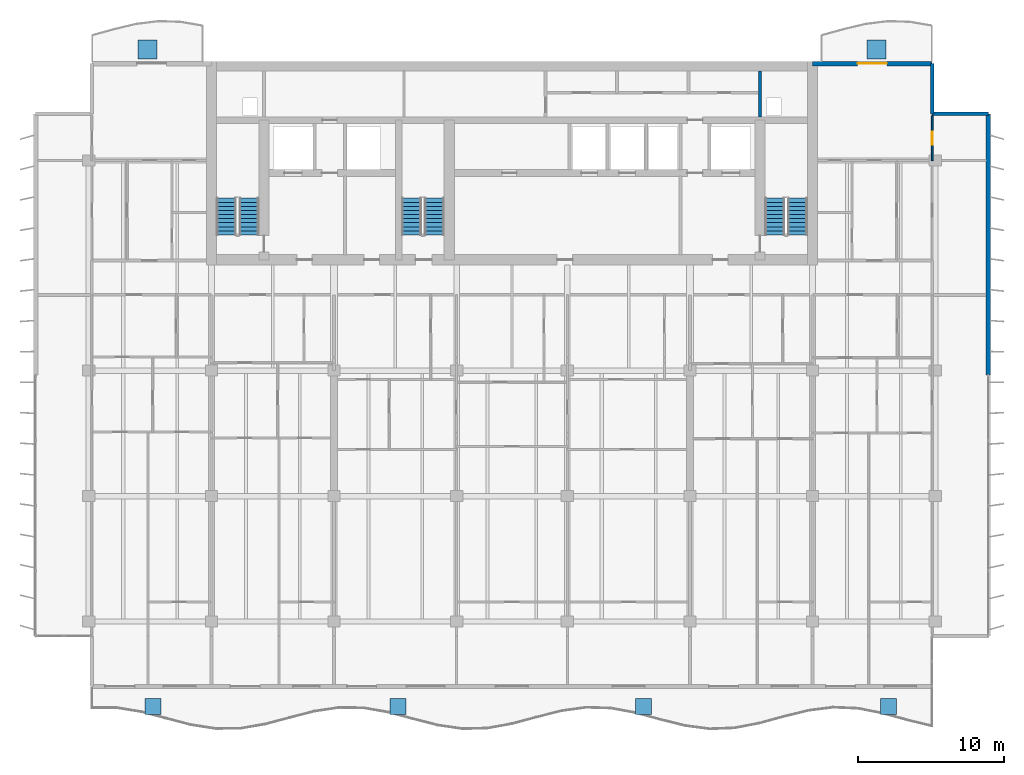
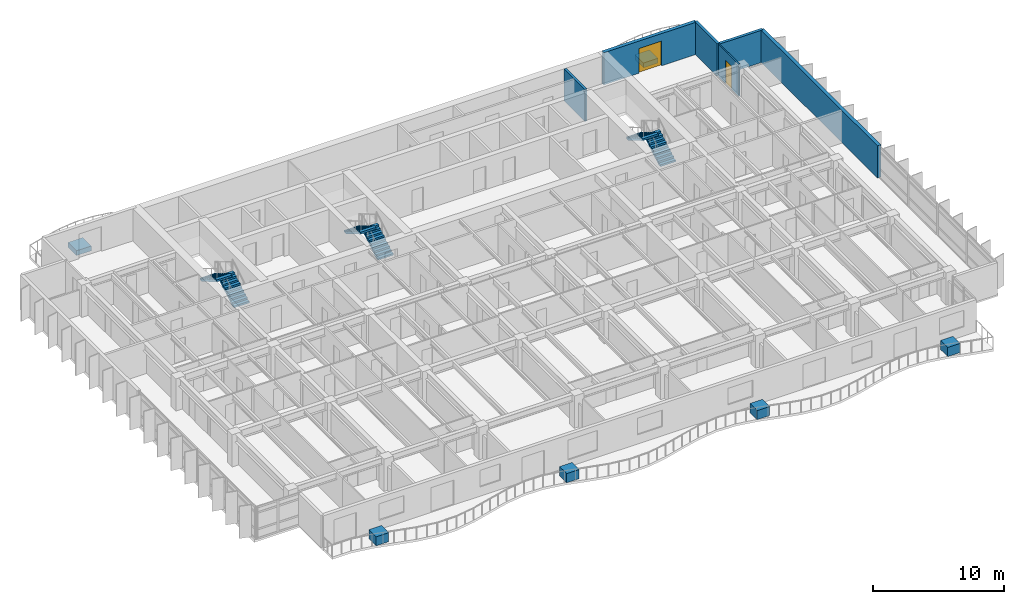
# One storey, part 14 of 18: 6 discrete accessories, 6 stair flights, 6 walls, 2 doors, 2 openings, 3 elements without a shape of their own.
"""IFC4 building model written with IfcOpenShell, lengths in metres."""

from ifc_helpers import new_model, si_unit, direction, frame, frame_2d, origin, origin_2d, place, context, subcontext, project, spatial, polyline, rectangle, outline, extrude, material, layer, layer_set, type_object, element, fill, aggregate, save


model = new_model("IFC4")

# Units and contexts
model_context = context("Model", 3, precision=1e-05, world=origin(), true_north=direction((0.0, 1.0)))
body_context = subcontext(model_context, "Body", "Model", "MODEL_VIEW")
ifc_project = project(units=[si_unit("LENGTHUNIT", "METRE"), si_unit("AREAUNIT", "SQUARE_METRE"), si_unit("VOLUMEUNIT", "CUBIC_METRE"), si_unit("PLANEANGLEUNIT", "RADIAN"), si_unit("MASSUNIT", "GRAM", prefix="KILO")], contexts=[model_context])

# Site, building, storey
site_placement = place(None, origin())
site = spatial("IfcSite", under=ifc_project, at=site_placement, CompositionType="ELEMENT")
building_placement = place(site_placement, origin())
building = spatial("IfcBuilding", under=site, at=building_placement, Name="Caelmar Bay Residences", CompositionType="ELEMENT")
storey_placement = place(building_placement, frame((0.0, 0.0, 180.300048828125)))
storey = spatial("IfcBuildingStorey", under=building, at=storey_placement, Name="L50", CompositionType="ELEMENT", Elevation=180.300048828125)

# Walls
ifc_material_1 = material(Name="Precast concrete f'c 40 MPa (6,000 psi)", Category="concrete")
ifc_layer_1 = layer(ifc_material_1, 0.25)
ifc_layer_set_1 = layer_set([ifc_layer_1], Name="Precast concrete f'c 40 MPa (6,000 psi)")
wall_type_1 = type_object("IfcWallType", Name="W-EXT-250", PredefinedType="ELEMENTEDWALL", material=ifc_layer_set_1)
wall_1_placement = place(storey_placement, frame((67.699951171875, 50.449951171875, 0.0), z_axis=(0.0, 0.0, 1.0), x_axis=(0.0, -1.0, 0.0)))
element("IfcWall", 1, at=wall_1_placement, inside=storey, type_object=wall_type_1, Name="L50 NNE-V Notch Wall", PredefinedType="ELEMENTEDWALL", context=body_context, shape_type="SweptSolid", body=[
    extrude(rectangle(XDim=3.449951171875, YDim=0.25, at=frame_2d((1.72509765625, 0.0))), origin(), (0.0, 0.0, 1.0), 3.0),
])
wall_2_placement = place(storey_placement, frame((67.699951171875, 47.0, 0.0), z_axis=(0.0, 0.0, 1.0), x_axis=(1.0, 0.0, 0.0)))
element("IfcWall", 2, at=wall_2_placement, inside=storey, type_object=wall_type_1, Name="L50 NNE-H Notch Wall", PredefinedType="ELEMENTEDWALL", context=body_context, shape_type="SweptSolid", body=[
    extrude(rectangle(XDim=3.85009765625, YDim=0.25, at=frame_2d((1.925048828125, 0.0))), origin(), (0.0, 0.0, 1.0), 3.0),
])
ifc_layer_2 = layer(ifc_material_1, 0.300048828125)
ifc_layer_set_2 = layer_set([ifc_layer_2], Name="Precast concrete f'c 40 MPa (6,000 psi)")
wall_type_2 = type_object("IfcWallType", Name="W-EXT-300", PredefinedType="STANDARD", material=ifc_layer_set_2)
wall_3_placement = place(storey_placement, frame((71.550048828125, 47.0, 0.0), z_axis=(0.0, 0.0, 1.0), x_axis=(0.0, -1.0, 0.0)))
element("IfcWall", 3, at=wall_3_placement, inside=storey, type_object=wall_type_2, Name="L50 East Rear Exterior Wall", PredefinedType="STANDARD", context=body_context, shape_type="SweptSolid", body=[
    extrude(rectangle(XDim=17.89990234375, YDim=0.300048828125, at=frame_2d((8.949951171875, 0.0))), origin(), (0.0, 0.0, 1.0), 3.0),
])

# Wall, opening, door
wall_4_placement = place(storey_placement, frame((59.5, 50.449951171875, 0.0), z_axis=(0.0, 0.0, 1.0), x_axis=(1.0, 0.0, 0.0)))
wall_4 = element("IfcWall", 4, at=wall_4_placement, inside=storey, type_object=wall_type_2, Name="L50 North-East Wing Exterior Wall", PredefinedType="STANDARD", context=body_context, shape_type="SweptSolid", body=[
    extrude(rectangle(XDim=8.199951171875, YDim=0.300048828125, at=frame_2d((4.10009765625, 0.0))), origin(), (0.0, 0.0, 1.0), 3.0),
])
opening_1_placement = place(wall_4_placement, frame((3.10009765625, 0.0, 0.0)))
opening_1 = element("IfcOpeningElement", 5, at=opening_1_placement, cuts=wall_4, Name="Opening L50-BDNE", PredefinedType="OPENING", context=body_context, shape_type="SweptSolid", body=[
    extrude(rectangle(XDim=2.0, YDim=2.300048828125, at=frame_2d((1.0, 1.14990234375))), frame((0.0, 0.159912109375, 0.0), z_axis=(0.0, -1.0, 0.0), x_axis=(1.0, 0.0, 0.0)), (0.0, 0.0, 1.0), 0.320068359375),
])
ifc_material_2 = material(Name="Anodised bronze thermally broken sliding glass door", Category="glass")
ifc_layer_3 = layer(ifc_material_2, 0.050048828125)
ifc_layer_set_3 = layer_set([ifc_layer_3], Name="Anodised bronze thermally broken sliding glass door")
door_type_1 = type_object("IfcDoorType", Name="D-BAL-2000", OperationType="DOUBLE_DOOR_SLIDING", PredefinedType="DOOR", material=ifc_layer_set_3)
door_1_placement = place(opening_1_placement, origin())
door_1 = element("IfcDoor", 6, at=door_1_placement, inside=storey, type_object=door_type_1, Name="L50 North-East Balcony Door", OperationType="DOUBLE_DOOR_SLIDING", OverallHeight=2.300048828125, OverallWidth=2.0, PredefinedType="DOOR", context=body_context, shape_type="SweptSolid", body=[
    extrude(rectangle(XDim=2.0, YDim=2.300048828125, at=frame_2d((1.0, 1.14990234375))), frame((0.0, 0.02490234375, 0.0), z_axis=(0.0, -1.0, 0.0), x_axis=(1.0, 0.0, 0.0)), (0.0, 0.0, 1.0), 0.050048828125),
])
fill(opening_1, door_1)

# Wall
ifc_material_3 = material(Name="Fire-rated masonry and gypsum shaftliner assembly 200 mm", Category="masonry")
ifc_layer_4 = layer(ifc_material_3, 0.199951171875)
ifc_layer_set_4 = layer_set([ifc_layer_4], Name="Fire-rated masonry and gypsum shaftliner assembly 200 mm")
wall_type_3 = type_object("IfcWallType", Name="W-FSAE-200", PredefinedType="PARTITIONING", material=ifc_layer_set_4)
wall_5_placement = place(storey_placement, frame((55.89990234375, 46.794921875, 0.0), z_axis=(0.0, 0.0, 1.0), x_axis=(0.0, 1.0, 0.0)))
element("IfcWall", 7, at=wall_5_placement, inside=storey, type_object=wall_type_3, Name="L50 Partition Wall V081", PredefinedType="PARTITIONING", context=body_context, shape_type="SweptSolid", body=[
    extrude(rectangle(XDim=3.16015625, YDim=0.199951171875, at=frame_2d((1.580078125, 0.0))), origin(), (0.0, 0.0, 1.0), 3.0),
])

# Wall, opening, door
ifc_material_4 = material(Name="Acoustic metal-stud gypsum partition 120 mm")
ifc_layer_5 = layer(ifc_material_4, 0.1201171875)
ifc_layer_set_5 = layer_set([ifc_layer_5], Name="Acoustic metal-stud gypsum partition 120 mm")
wall_type_4 = type_object("IfcWallType", Name="W-PRT-120", PredefinedType="PARTITIONING", material=ifc_layer_set_5)
wall_6_placement = place(storey_placement, frame((67.699951171875, 43.804931640625, 0.0), z_axis=(0.0, 0.0, 1.0), x_axis=(0.0, 1.0, 0.0)))
wall_6 = element("IfcWall", 8, at=wall_6_placement, inside=storey, type_object=wall_type_4, Name="L50 Partition Wall V105", PredefinedType="PARTITIONING", context=body_context, shape_type="SweptSolid", body=[
    extrude(rectangle(XDim=3.074951171875, YDim=0.1201171875, at=frame_2d((1.53759765625, 0.0))), origin(), (0.0, 0.0, 1.0), 3.0),
])
opening_2_placement = place(wall_6_placement, frame((1.08740234375, 0.0, 0.0)))
opening_2 = element("IfcOpeningElement", 9, at=opening_2_placement, cuts=wall_6, Name="Opening D-L50-179", PredefinedType="OPENING", context=body_context, shape_type="SweptSolid", body=[
    extrude(rectangle(XDim=0.89990234375, YDim=2.14990234375, at=frame_2d((0.449951171875, 1.074951171875))), frame((0.0, 0.070068359375, 0.0), z_axis=(0.0, -1.0, 0.0), x_axis=(1.0, 0.0, 0.0)), (0.0, 0.0, 1.0), 0.14013671875),
])
ifc_material_5 = material(Name="Solid walnut timber interior door leaf and frame", Category="wood")
ifc_layer_6 = layer(ifc_material_5, 0.050048828125)
ifc_layer_set_6 = layer_set([ifc_layer_6], Name="Solid walnut timber interior door leaf and frame")
door_type_2 = type_object("IfcDoorType", Name="D-ROOM-900", OperationType="NOTDEFINED", PredefinedType="DOOR", material=ifc_layer_set_6)
door_2_placement = place(opening_2_placement, origin())
door_2 = element("IfcDoor", 10, at=door_2_placement, inside=storey, type_object=door_type_2, Name="L50 Residence EA North Sitting Alcove Door", OperationType="SINGLE_SWING_RIGHT", OverallHeight=2.14990234375, OverallWidth=0.89990234375, PredefinedType="DOOR", context=body_context, shape_type="SweptSolid", body=[
    extrude(rectangle(XDim=0.89990234375, YDim=2.14990234375, at=frame_2d((0.449951171875, 1.074951171875))), frame((0.0, 0.02490234375, 0.0), z_axis=(0.0, -1.0, 0.0), x_axis=(1.0, 0.0, 0.0)), (0.0, 0.0, 1.0), 0.050048828125),
])
fill(opening_2, door_2)

# Stair, stair flights
ifc_material_6 = material(Name="Concrete f'c 40 MPa (6,000 psi)", Category="concrete")
stair_type = type_object("IfcStairType", Name="ST-TYP-165", PredefinedType="HALF_TURN_STAIR", material=ifc_material_6)
stair_1_placement = place(storey_placement, origin())
stair_1 = element("IfcStair", 11, at=stair_1_placement, inside=storey, type_object=stair_type, Name="L50 West Smokeproof Exit Stair ST1", PredefinedType="HALF_TURN_STAIR")
stair_flight_type = type_object("IfcStairFlightType", Name="STF-1350", PredefinedType="STRAIGHT", material=ifc_material_6)
stair_flight_1_placement = place(storey_placement, frame((20.875, 38.699951171875, 0.0), z_axis=(0.0, 0.0, 1.0), x_axis=(0.0, 1.0, 0.0)))
stair_flight_1 = element("IfcStairFlight", 12, at=stair_flight_1_placement, type_object=stair_flight_type, Name="ST1 flight 1", NumberOfRisers=10, NumberOfTreads=9, PredefinedType="STRAIGHT", RiserHeight=0.165, TreadLength=0.28, context=body_context, shape_type="SweptSolid", body=[
    extrude(outline(polyline([(0.0, 0.0), (0.0, 0.1650390625), (0.280029296875, 0.1650390625), (0.280029296875, 0.330078125), (0.56005859375, 0.330078125), (0.56005859375, 0.4951171875), (0.840087890625, 0.4951171875), (0.840087890625, 0.659912109375), (1.1201171875, 0.659912109375), (1.1201171875, 0.824951171875), (1.39990234375, 0.824951171875), (1.39990234375, 0.989990234375), (1.679931640625, 0.989990234375), (1.679931640625, 1.155029296875), (1.9599609375, 1.155029296875), (1.9599609375, 1.320068359375), (2.239990234375, 1.320068359375), (2.239990234375, 1.485107421875), (2.52001953125, 1.485107421875), (2.52001953125, 1.64990234375), (2.52001953125, 1.31103515625), (0.295166015625, 0.0), (0.0, 0.0)])), frame((0.0, 0.675048828125, 0.0), z_axis=(0.0, -1.0, 0.0), x_axis=(1.0, 0.0, 0.0)), (0.0, 0.0, 1.0), 1.35009765625),
])
stair_flight_2_placement = place(storey_placement, frame((19.324951171875, 41.219970703125, 1.64990234375), z_axis=(0.0, 0.0, 1.0), x_axis=(0.0, -1.0, 0.0)))
stair_flight_2 = element("IfcStairFlight", 13, at=stair_flight_2_placement, type_object=stair_flight_type, Name="ST1 flight 2", NumberOfRisers=10, NumberOfTreads=9, PredefinedType="STRAIGHT", RiserHeight=0.165, TreadLength=0.28, context=body_context, shape_type="SweptSolid", body=[
    extrude(outline(polyline([(0.0, 0.0), (0.0, 0.1650390625), (0.280029296875, 0.1650390625), (0.280029296875, 0.330078125), (0.56005859375, 0.330078125), (0.56005859375, 0.4951171875), (0.840087890625, 0.4951171875), (0.840087890625, 0.659912109375), (1.1201171875, 0.659912109375), (1.1201171875, 0.824951171875), (1.39990234375, 0.824951171875), (1.39990234375, 0.989990234375), (1.679931640625, 0.989990234375), (1.679931640625, 1.155029296875), (1.9599609375, 1.155029296875), (1.9599609375, 1.320068359375), (2.239990234375, 1.320068359375), (2.239990234375, 1.485107421875), (2.52001953125, 1.485107421875), (2.52001953125, 1.64990234375), (2.52001953125, 1.31103515625), (0.295166015625, 0.0), (0.0, 0.0)])), frame((0.0, 0.675048828125, 0.0), z_axis=(0.0, -1.0, 0.0), x_axis=(1.0, 0.0, 0.0)), (0.0, 0.0, 1.0), 1.35009765625),
])
aggregate(stair_1, [stair_flight_1, stair_flight_2])

stair_2_placement = place(storey_placement, origin())
stair_2 = element("IfcStair", 14, at=stair_2_placement, inside=storey, type_object=stair_type, Name="L50 East Smokeproof Exit Stair ST2", PredefinedType="HALF_TURN_STAIR")
stair_flight_3_placement = place(storey_placement, frame((58.47509765625, 38.699951171875, 0.0), z_axis=(0.0, 0.0, 1.0), x_axis=(0.0, 1.0, 0.0)))
stair_flight_3 = element("IfcStairFlight", 15, at=stair_flight_3_placement, type_object=stair_flight_type, Name="ST2 flight 1", NumberOfRisers=10, NumberOfTreads=9, PredefinedType="STRAIGHT", RiserHeight=0.165, TreadLength=0.28, context=body_context, shape_type="SweptSolid", body=[
    extrude(outline(polyline([(0.0, 0.0), (0.0, 0.1650390625), (0.280029296875, 0.1650390625), (0.280029296875, 0.330078125), (0.56005859375, 0.330078125), (0.56005859375, 0.4951171875), (0.840087890625, 0.4951171875), (0.840087890625, 0.659912109375), (1.1201171875, 0.659912109375), (1.1201171875, 0.824951171875), (1.39990234375, 0.824951171875), (1.39990234375, 0.989990234375), (1.679931640625, 0.989990234375), (1.679931640625, 1.155029296875), (1.9599609375, 1.155029296875), (1.9599609375, 1.320068359375), (2.239990234375, 1.320068359375), (2.239990234375, 1.485107421875), (2.52001953125, 1.485107421875), (2.52001953125, 1.64990234375), (2.52001953125, 1.31103515625), (0.295166015625, 0.0), (0.0, 0.0)])), frame((0.0, 0.675048828125, 0.0), z_axis=(0.0, -1.0, 0.0), x_axis=(1.0, 0.0, 0.0)), (0.0, 0.0, 1.0), 1.35009765625),
])
stair_flight_4_placement = place(storey_placement, frame((56.925048828125, 41.219970703125, 1.64990234375), z_axis=(0.0, 0.0, 1.0), x_axis=(0.0, -1.0, 0.0)))
stair_flight_4 = element("IfcStairFlight", 16, at=stair_flight_4_placement, type_object=stair_flight_type, Name="ST2 flight 2", NumberOfRisers=10, NumberOfTreads=9, PredefinedType="STRAIGHT", RiserHeight=0.165, TreadLength=0.28, context=body_context, shape_type="SweptSolid", body=[
    extrude(outline(polyline([(0.0, 0.0), (0.0, 0.1650390625), (0.280029296875, 0.1650390625), (0.280029296875, 0.330078125), (0.56005859375, 0.330078125), (0.56005859375, 0.4951171875), (0.840087890625, 0.4951171875), (0.840087890625, 0.659912109375), (1.1201171875, 0.659912109375), (1.1201171875, 0.824951171875), (1.39990234375, 0.824951171875), (1.39990234375, 0.989990234375), (1.679931640625, 0.989990234375), (1.679931640625, 1.155029296875), (1.9599609375, 1.155029296875), (1.9599609375, 1.320068359375), (2.239990234375, 1.320068359375), (2.239990234375, 1.485107421875), (2.52001953125, 1.485107421875), (2.52001953125, 1.64990234375), (2.52001953125, 1.31103515625), (0.295166015625, 0.0), (0.0, 0.0)])), frame((0.0, 0.675048828125, 0.0), z_axis=(0.0, -1.0, 0.0), x_axis=(1.0, 0.0, 0.0)), (0.0, 0.0, 1.0), 1.35009765625),
])
aggregate(stair_2, [stair_flight_3, stair_flight_4])

stair_3_placement = place(storey_placement, origin())
stair_3 = element("IfcStair", 17, at=stair_3_placement, inside=storey, type_object=stair_type, Name="L50 Central Smokeproof Exit Stair ST3", PredefinedType="HALF_TURN_STAIR")
stair_flight_5_placement = place(storey_placement, frame((33.574951171875, 38.699951171875, 0.0), z_axis=(0.0, 0.0, 1.0), x_axis=(0.0, 1.0, 0.0)))
stair_flight_5 = element("IfcStairFlight", 18, at=stair_flight_5_placement, type_object=stair_flight_type, Name="ST3 flight 1", NumberOfRisers=10, NumberOfTreads=9, PredefinedType="STRAIGHT", RiserHeight=0.165, TreadLength=0.28, context=body_context, shape_type="SweptSolid", body=[
    extrude(outline(polyline([(0.0, 0.0), (0.0, 0.1650390625), (0.280029296875, 0.1650390625), (0.280029296875, 0.330078125), (0.56005859375, 0.330078125), (0.56005859375, 0.4951171875), (0.840087890625, 0.4951171875), (0.840087890625, 0.659912109375), (1.1201171875, 0.659912109375), (1.1201171875, 0.824951171875), (1.39990234375, 0.824951171875), (1.39990234375, 0.989990234375), (1.679931640625, 0.989990234375), (1.679931640625, 1.155029296875), (1.9599609375, 1.155029296875), (1.9599609375, 1.320068359375), (2.239990234375, 1.320068359375), (2.239990234375, 1.485107421875), (2.52001953125, 1.485107421875), (2.52001953125, 1.64990234375), (2.52001953125, 1.31103515625), (0.295166015625, 0.0), (0.0, 0.0)])), frame((0.0, 0.675048828125, 0.0), z_axis=(0.0, -1.0, 0.0), x_axis=(1.0, 0.0, 0.0)), (0.0, 0.0, 1.0), 1.35009765625),
])
stair_flight_6_placement = place(storey_placement, frame((32.02490234375, 41.219970703125, 1.64990234375), z_axis=(0.0, 0.0, 1.0), x_axis=(0.0, -1.0, 0.0)))
stair_flight_6 = element("IfcStairFlight", 19, at=stair_flight_6_placement, type_object=stair_flight_type, Name="ST3 flight 2", NumberOfRisers=10, NumberOfTreads=9, PredefinedType="STRAIGHT", RiserHeight=0.165, TreadLength=0.28, context=body_context, shape_type="SweptSolid", body=[
    extrude(outline(polyline([(0.0, 0.0), (0.0, 0.1650390625), (0.280029296875, 0.1650390625), (0.280029296875, 0.330078125), (0.56005859375, 0.330078125), (0.56005859375, 0.4951171875), (0.840087890625, 0.4951171875), (0.840087890625, 0.659912109375), (1.1201171875, 0.659912109375), (1.1201171875, 0.824951171875), (1.39990234375, 0.824951171875), (1.39990234375, 0.989990234375), (1.679931640625, 0.989990234375), (1.679931640625, 1.155029296875), (1.9599609375, 1.155029296875), (1.9599609375, 1.320068359375), (2.239990234375, 1.320068359375), (2.239990234375, 1.485107421875), (2.52001953125, 1.485107421875), (2.52001953125, 1.64990234375), (2.52001953125, 1.31103515625), (0.295166015625, 0.0), (0.0, 0.0)])), frame((0.0, 0.675048828125, 0.0), z_axis=(0.0, -1.0, 0.0), x_axis=(1.0, 0.0, 0.0)), (0.0, 0.0, 1.0), 1.35009765625),
])
aggregate(stair_3, [stair_flight_5, stair_flight_6])

# Discrete accessories
ifc_material_7 = material(Name="Architectural bronze GRC planter trough with volcanic-lapilli substrate")
discrete_accessory_type_1 = type_object("IfcDiscreteAccessoryType", Name="ACC-PLANTER-1100", PredefinedType="USERDEFINED", material=ifc_material_7)
for number, where, z_axis, x_axis, name in (
    (20, (14.300048828125, 6.3818359375, 0.0), (0.0, 0.0, 1.0), (1.0, 0.0, 0.0), "L50 Balcony Structural Tree Planter 1"),
    (21, (31.10009765625, 6.3818359375, 0.0), (0.0, 0.0, 1.0), (1.0, 0.0, 0.0), "L50 Balcony Structural Tree Planter 2"),
    (22, (47.89990234375, 6.3818359375, 0.0), (0.0, 0.0, 1.0), (1.0, 0.0, 0.0), "L50 Balcony Structural Tree Planter 3"),
    (23, (64.699951171875, 6.3818359375, 0.0), (0.0, 0.0, 1.0), (1.0, 0.0, 0.0), "L50 Balcony Structural Tree Planter 4"),
):
    element("IfcDiscreteAccessory", number, at=place(storey_placement, frame(where, z_axis=z_axis, x_axis=x_axis)), inside=storey, type_object=discrete_accessory_type_1, Name=name, ObjectType="PLANTER", PredefinedType="USERDEFINED", context=body_context, shape_type="SweptSolid", body=[
        extrude(rectangle(XDim=1.10009765625, YDim=1.10009765625, at=origin_2d()), origin(), (0.0, 0.0, 1.0), 0.85009765625),
    ])
discrete_accessory_type_2 = type_object("IfcDiscreteAccessoryType", Name="STR-PLANTER-KERB-450", PredefinedType="USERDEFINED", material=ifc_material_1)
for number, where, z_axis, x_axis, name in (
    (24, (13.89990234375, 51.39990234375, 0.0), (0.0, 0.0, 1.0), (1.0, 0.0, 0.0), "L50 north_west Structural Tree Planter Kerb"),
    (25, (63.89990234375, 51.39990234375, 0.0), (0.0, 0.0, 1.0), (1.0, 0.0, 0.0), "L50 north_east Structural Tree Planter Kerb"),
):
    element("IfcDiscreteAccessory", number, at=place(storey_placement, frame(where, z_axis=z_axis, x_axis=x_axis)), inside=storey, type_object=discrete_accessory_type_2, Name=name, ObjectType="PLANTER", PredefinedType="USERDEFINED", context=body_context, shape_type="SweptSolid", body=[
        extrude(rectangle(XDim=1.300048828125, YDim=1.300048828125, at=origin_2d()), origin(), (0.0, 0.0, 1.0), 0.449951171875),
    ])

save(model, "model.ifc")
